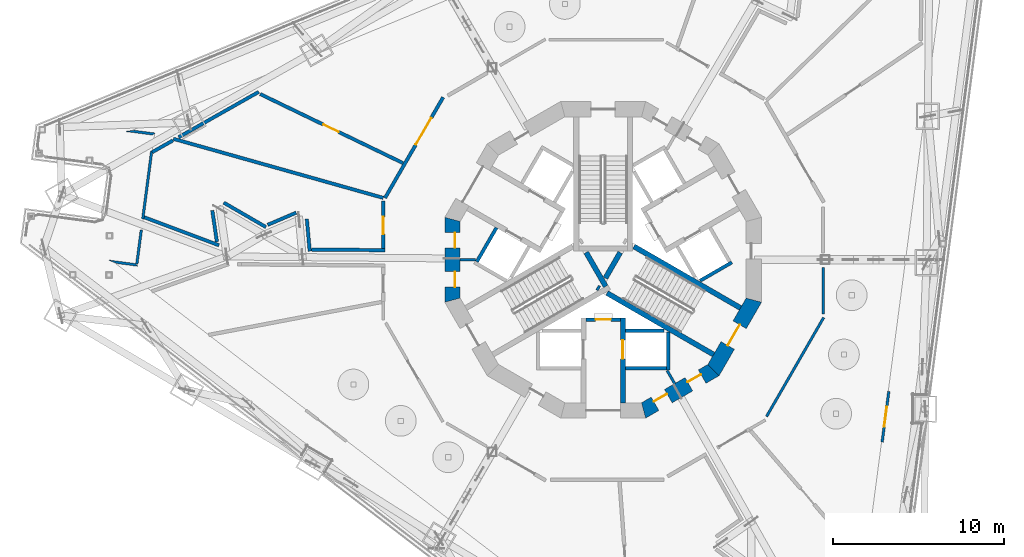
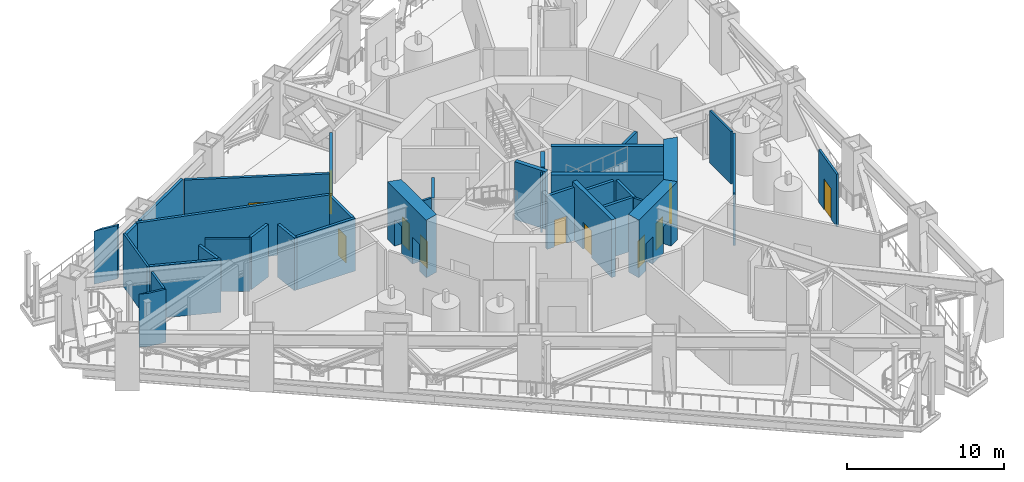
# One storey, part 10 of 23: 36 walls, 11 doors, 11 openings.
"""IFC4 building model written with IfcOpenShell, lengths in metres."""

from ifc_helpers import new_model, si_unit, direction, frame, frame_2d, origin, place, context, subcontext, project, spatial, polyline, rectangle, outline, extrude, material, layer, layer_set, type_object, element, fill, save


model = new_model("IFC4")

# Units and contexts
model_context = context("Model", 3, precision=1e-05, world=origin(), true_north=direction((0.0, 1.0)))
body_context = subcontext(model_context, "Body", "Model", "MODEL_VIEW")
ifc_project = project(units=[si_unit("LENGTHUNIT", "METRE"), si_unit("AREAUNIT", "SQUARE_METRE"), si_unit("VOLUMEUNIT", "CUBIC_METRE"), si_unit("PLANEANGLEUNIT", "RADIAN"), si_unit("MASSUNIT", "GRAM", prefix="KILO")], contexts=[model_context])

# Site, building, storey
site_placement = place(None, origin())
site = spatial("IfcSite", under=ifc_project, at=site_placement, CompositionType="ELEMENT")
building_placement = place(site_placement, origin())
building = spatial("IfcBuilding", under=site, at=building_placement, Name="Trine Commons Tower", CompositionType="ELEMENT")
storey_placement = place(building_placement, frame((0.0, 0.0, 156.60009765625)))
storey = spatial("IfcBuildingStorey", under=building, at=storey_placement, Name="L40", CompositionType="ELEMENT", Elevation=156.60009765625)

# Walls
ifc_material_1 = material(Name="Plasterboard on steel stud", Category="steel")
ifc_layer_1 = layer(ifc_material_1, 0.14990234375)
ifc_layer_set_1 = layer_set([ifc_layer_1], Name="Plasterboard on steel stud")
wall_type_1 = type_object("IfcWallType", Name="Compartment wall 150 mm, EI 60", PredefinedType="PARTITIONING", material=ifc_layer_set_1)
wall_1_placement = place(storey_placement, frame((89.5634765625, 53.31884765625, 0.0), z_axis=(0.0, 0.0, 1.0), x_axis=(0.50001081084, 0.866019162053, 0.0)))
element("IfcWall", 1, at=wall_1_placement, inside=storey, type_object=wall_type_1, Name="Partition M40043", PredefinedType="PARTITIONING", context=body_context, shape_type="SweptSolid", body=[
    extrude(rectangle(XDim=6.693603515625, YDim=0.14990234375, at=frame_2d((3.3466796875, 0.0))), origin(), (0.0, 0.0, 1.0), 4.099853515625),
])
wall_2_placement = place(storey_placement, frame((92.872802734375, 59.33056640625, 0.0), z_axis=(0.0, 0.0, 1.0), x_axis=(0.0, 1.0, 0.0)))
element("IfcWall", 2, at=wall_2_placement, inside=storey, type_object=wall_type_1, Name="Partition M40052", PredefinedType="PARTITIONING", context=body_context, shape_type="SweptSolid", body=[
    extrude(rectangle(XDim=2.7197265625, YDim=0.14990234375, at=frame_2d((1.35986328125, 0.0))), origin(), (0.0, 0.0, 1.0), 4.099853515625),
])
ifc_material_2 = material(Name="Plasterboard partition on steel studs", Category="steel")
ifc_layer_2 = layer(ifc_material_2, 0.14990234375)
ifc_layer_set_2 = layer_set([ifc_layer_2], Name="Plasterboard partition on steel studs")
wall_type_2 = type_object("IfcWallType", Name="Core room partition 150 mm, EI 60", PredefinedType="PARTITIONING", material=ifc_layer_set_2)
for number, where, z_axis, x_axis, name in (
    (3, (71.626953125, 62.5, 0.0), (0.0, 0.0, 1.0), (1.0, 0.0, 0.0), "Core room partition L40"),
    (4, (84.18603515625, 55.2490234375, 0.0), (0.0, 0.0, 1.0), (-0.499890179513, 0.866088799389, 0.0), "Core room partition L40"),
):
    element("IfcWall", number, at=place(storey_placement, frame(where, z_axis=z_axis, x_axis=x_axis)), inside=storey, type_object=wall_type_2, Name=name, PredefinedType="PARTITIONING", context=body_context, shape_type="SweptSolid", body=[
        extrude(rectangle(XDim=0.882080078125, YDim=0.14990234375, at=frame_2d((0.44091796875, 0.0))), origin(), (0.0, 0.0, 1.0), 4.14990234375),
    ])
ifc_layer_3 = layer(ifc_material_1, 0.199951171875)
ifc_layer_set_3 = layer_set([ifc_layer_3], Name="Plasterboard on steel stud")
wall_type_3 = type_object("IfcWallType", Name="Fire wall 200 mm, EI 120", PredefinedType="PARTITIONING", material=ifc_layer_set_3)
wall_3_placement = place(storey_placement, frame((53.091796875, 65.001708984375, 0.0), z_axis=(0.0, 0.0, 1.0), x_axis=(0.936199141102, -0.351470010385, 0.0)))
element("IfcWall", 5, at=wall_3_placement, inside=storey, type_object=wall_type_3, Name="Partition M40001", PredefinedType="PARTITIONING", context=body_context, shape_type="SweptSolid", body=[
    extrude(rectangle(XDim=4.708984375, YDim=0.199951171875, at=frame_2d((2.3544921875, 0.0))), origin(), (0.0, 0.0, 1.0), 4.099853515625),
])
wall_4_placement = place(storey_placement, frame((53.592041015625, 68.800537109375, 0.0), z_axis=(0.0, 0.0, 1.0), x_axis=(0.870383098787, 0.492375122591, 0.0)))
element("IfcWall", 6, at=wall_4_placement, inside=storey, type_object=wall_type_3, Name="Partition M40003", PredefinedType="PARTITIONING", context=body_context, shape_type="SweptSolid", body=[
    extrude(rectangle(XDim=1.391845703125, YDim=0.199951171875, at=frame_2d((0.69580078125, 0.0))), origin(), (0.0, 0.0, 1.0), 4.099853515625),
])
wall_5_placement = place(storey_placement, frame((54.830810546875, 69.5830078125, 0.0), z_axis=(0.0, 0.0, 1.0), x_axis=(0.962608275862, -0.270897226345, 0.0)))
element("IfcWall", 7, at=wall_5_placement, inside=storey, type_object=wall_type_3, Name="Partition M40004", PredefinedType="PARTITIONING", context=body_context, shape_type="SweptSolid", body=[
    extrude(rectangle(XDim=12.77392578125, YDim=0.199951171875, at=frame_2d((6.386962890625, 0.0))), origin(), (0.0, 0.0, 1.0), 4.099853515625),
])
wall_6_placement = place(storey_placement, frame((55.138671875, 69.675537109375, 0.0), z_axis=(0.0, 0.0, 1.0), x_axis=(0.870357892234, 0.492419678146, 0.0)))
element("IfcWall", 8, at=wall_6_placement, inside=storey, type_object=wall_type_3, Name="Partition M40005", PredefinedType="PARTITIONING", context=body_context, shape_type="SweptSolid", body=[
    extrude(rectangle(XDim=5.393310546875, YDim=0.199951171875, at=frame_2d((2.69677734375, 0.0))), origin(), (0.0, 0.0, 1.0), 4.099853515625),
])
wall_7_placement = place(storey_placement, frame((57.11181640625, 65.389404296875, 0.0), z_axis=(0.0, 0.0, 1.0), x_axis=(0.145335243046, -0.989382467567, 0.0)))
element("IfcWall", 9, at=wall_7_placement, inside=storey, type_object=wall_type_3, Name="Partition M40007", PredefinedType="PARTITIONING", context=body_context, shape_type="SweptSolid", body=[
    extrude(rectangle(XDim=1.859619140625, YDim=0.199951171875, at=frame_2d((0.9296875, 0.0))), origin(), (0.0, 0.0, 1.0), 4.099853515625),
])
wall_8_placement = place(storey_placement, frame((57.782470703125, 65.84423828125, 0.0), z_axis=(0.0, 0.0, 1.0), x_axis=(0.865397002016, -0.501086847663, 0.0)))
element("IfcWall", 10, at=wall_8_placement, inside=storey, type_object=wall_type_3, Name="Partition M40008", PredefinedType="PARTITIONING", context=body_context, shape_type="SweptSolid", body=[
    extrude(rectangle(XDim=2.854248046875, YDim=0.199951171875, at=frame_2d((1.42724609375, 0.0))), origin(), (0.0, 0.0, 1.0), 4.099853515625),
])

# Wall, opening, door
wall_9_placement = place(storey_placement, frame((59.919677734375, 72.2001953125, 0.0), z_axis=(0.0, 0.0, 1.0), x_axis=(0.900439076875, -0.434982147722, 0.0)))
wall_9 = element("IfcWall", 11, at=wall_9_placement, inside=storey, type_object=wall_type_3, Name="Partition M40011", PredefinedType="PARTITIONING", context=body_context, shape_type="SweptSolid", body=[
    extrude(rectangle(XDim=9.284912109375, YDim=0.199951171875, at=frame_2d((4.642578125, 0.0))), origin(), (0.0, 0.0, 1.0), 4.099853515625),
])
opening_1_placement = place(wall_9_placement, frame((4.100830078125, 0.0, 0.0)))
opening_1 = element("IfcOpeningElement", 12, at=opening_1_placement, cuts=wall_9, Name="Opening D-M4001", PredefinedType="OPENING", context=body_context, shape_type="SweptSolid", body=[
    extrude(rectangle(XDim=1.0, YDim=2.10009765625, at=frame_2d((0.5, 1.050048828125))), frame((0.0, 0.10986328125, 0.0), z_axis=(0.0, -1.0, 0.0), x_axis=(1.0, 0.0, 0.0)), (0.0, 0.0, 1.0), 0.219970703125),
])
ifc_material_3 = material(Name="Timber fire door set", Category="wood")
door_type_1 = type_object("IfcDoorType", Name="Single swing door 1000x2100, FD60", OperationType="SINGLE_SWING_LEFT", PredefinedType="DOOR", material=ifc_material_3)
door_1_placement = place(opening_1_placement, origin())
door_1 = element("IfcDoor", 13, at=door_1_placement, inside=storey, type_object=door_type_1, Name="Door D-M4001", OperationType="SINGLE_SWING_LEFT", OverallHeight=2.10009765625, OverallWidth=1.0, PredefinedType="DOOR", context=body_context, shape_type="SweptSolid", body=[
    extrude(rectangle(XDim=1.0, YDim=2.10009765625, at=frame_2d((0.5, 1.050048828125))), frame((0.0, 0.02490234375, 0.0), z_axis=(0.0, -1.0, 0.0), x_axis=(1.0, 0.0, 0.0)), (0.0, 0.0, 1.0), 0.050048828125),
])
fill(opening_1, door_1)

# Walls
wall_10_placement = place(storey_placement, frame((60.349365234375, 64.542724609375, 0.0), z_axis=(0.0, 0.0, 1.0), x_axis=(0.919588782739, 0.392882260557, 0.0)))
element("IfcWall", 14, at=wall_10_placement, inside=storey, type_object=wall_type_3, Name="Partition M40012", PredefinedType="PARTITIONING", context=body_context, shape_type="SweptSolid", body=[
    extrude(rectangle(XDim=1.81884765625, YDim=0.199951171875, at=frame_2d((0.909423828125, 0.0))), origin(), (0.0, 0.0, 1.0), 4.099853515625),
])
wall_11_placement = place(storey_placement, frame((62.647216796875, 64.8837890625, 0.0), z_axis=(0.0, 0.0, 1.0), x_axis=(0.089220150846, -0.99601192999, 0.0)))
element("IfcWall", 15, at=wall_11_placement, inside=storey, type_object=wall_type_3, Name="Partition M40013", PredefinedType="PARTITIONING", context=body_context, shape_type="SweptSolid", body=[
    extrude(rectangle(XDim=1.890869140625, YDim=0.199951171875, at=frame_2d((0.9453125, 0.0))), origin(), (0.0, 0.0, 1.0), 4.099853515625),
])
wall_12_placement = place(storey_placement, frame((62.917236328125, 63.09912109375, 0.0), z_axis=(0.0, 0.0, 1.0), x_axis=(0.999961915934, -0.008727352511, 0.0)))
element("IfcWall", 16, at=wall_12_placement, inside=storey, type_object=wall_type_3, Name="Partition M40014", PredefinedType="PARTITIONING", context=body_context, shape_type="SweptSolid", body=[
    extrude(rectangle(XDim=4.30810546875, YDim=0.199951171875, at=frame_2d((2.154052734375, 0.0))), origin(), (0.0, 0.0, 1.0), 4.099853515625),
])

# Wall, opening, door
wall_13_placement = place(storey_placement, frame((67.127197265625, 63.1630859375, 0.0), z_axis=(0.0, 0.0, 1.0), x_axis=(0.0, 1.0, 0.0)))
wall_13 = element("IfcWall", 17, at=wall_13_placement, inside=storey, type_object=wall_type_3, Name="Partition M40018", PredefinedType="PARTITIONING", context=body_context, shape_type="SweptSolid", body=[
    extrude(rectangle(XDim=2.7861328125, YDim=0.199951171875, at=frame_2d((1.39306640625, 0.0))), origin(), (0.0, 0.0, 1.0), 4.099853515625),
])
opening_2_placement = place(wall_13_placement, frame((0.8427734375, 0.0, 0.0)))
opening_2 = element("IfcOpeningElement", 18, at=opening_2_placement, cuts=wall_13, Name="Opening D-M4004", PredefinedType="OPENING", context=body_context, shape_type="SweptSolid", body=[
    extrude(rectangle(XDim=1.0, YDim=2.10009765625, at=frame_2d((0.5, 1.050048828125))), frame((0.0, 0.10986328125, 0.0), z_axis=(0.0, -1.0, 0.0), x_axis=(1.0, 0.0, 0.0)), (0.0, 0.0, 1.0), 0.219970703125),
])
door_2_placement = place(opening_2_placement, origin())
door_2 = element("IfcDoor", 19, at=door_2_placement, inside=storey, type_object=door_type_1, Name="Door D-M4004", OperationType="SINGLE_SWING_LEFT", OverallHeight=2.10009765625, OverallWidth=1.0, PredefinedType="DOOR", context=body_context, shape_type="SweptSolid", body=[
    extrude(rectangle(XDim=1.0, YDim=2.10009765625, at=frame_2d((0.5, 1.050048828125))), frame((0.0, 0.02490234375, 0.0), z_axis=(0.0, -1.0, 0.0), x_axis=(1.0, 0.0, 0.0)), (0.0, 0.0, 1.0), 0.050048828125),
])
fill(opening_2, door_2)

wall_14_placement = place(storey_placement, frame((70.62646484375, 72.01025390625, 0.0), z_axis=(0.0, 0.0, 1.0), x_axis=(-0.500007270061, -0.866021206372, 0.0)))
wall_14 = element("IfcWall", 20, at=wall_14_placement, inside=storey, type_object=wall_type_3, Name="Partition M40019", PredefinedType="PARTITIONING", context=body_context, shape_type="SweptSolid", body=[
    extrude(rectangle(XDim=6.8017578125, YDim=0.199951171875, at=frame_2d((3.40087890625, 0.0))), origin(), (0.0, 0.0, 1.0), 4.099853515625),
])
opening_3_placement = place(wall_14_placement, frame((1.399169921875, 0.0, 0.0)))
opening_3 = element("IfcOpeningElement", 21, at=opening_3_placement, cuts=wall_14, Name="Opening D-M4005", PredefinedType="OPENING", context=body_context, shape_type="SweptSolid", body=[
    extrude(rectangle(XDim=1.800048828125, YDim=2.10009765625, at=frame_2d((0.89990234375, 1.050048828125))), frame((0.0, 0.10986328125, 0.0), z_axis=(0.0, -1.0, 0.0), x_axis=(1.0, 0.0, 0.0)), (0.0, 0.0, 1.0), 0.219970703125),
])
door_type_2 = type_object("IfcDoorType", Name="Double swing door 1800x2100, FD60", OperationType="DOUBLE_DOOR_DOUBLE_SWING", PredefinedType="DOOR", material=ifc_material_3)
door_3_placement = place(opening_3_placement, origin())
door_3 = element("IfcDoor", 22, at=door_3_placement, inside=storey, type_object=door_type_2, Name="Door D-M4005", OperationType="DOUBLE_DOOR_DOUBLE_SWING", OverallHeight=2.10009765625, OverallWidth=1.800048828125, PredefinedType="DOOR", context=body_context, shape_type="SweptSolid", body=[
    extrude(rectangle(XDim=1.800048828125, YDim=2.10009765625, at=frame_2d((0.89990234375, 1.050048828125))), frame((0.0, 0.02490234375, 0.0), z_axis=(0.0, -1.0, 0.0), x_axis=(1.0, 0.0, 0.0)), (0.0, 0.0, 1.0), 0.050048828125),
])
fill(opening_3, door_3)

ifc_material_4 = material(Name="Aluminium-framed insulated wall panel", Category="aluminium")
ifc_layer_4 = layer(ifc_material_4, 0.14990234375)
ifc_layer_set_4 = layer_set([ifc_layer_4], Name="Aluminium-framed insulated wall panel")
wall_type_4 = type_object("IfcWallType", Name="Gallery frame wall 150 mm, EI 60", PredefinedType="SOLIDWALL", material=ifc_layer_set_4)
wall_15_placement = place(storey_placement, frame((96.725830078125, 54.796142578125, 0.0), z_axis=(0.0, 0.0, 1.0), x_axis=(-0.130532401413, -0.991444043898, 0.0)))
wall_15 = element("IfcWall", 23, at=wall_15_placement, inside=storey, type_object=wall_type_4, Name="Gallery frame wall L40 F2", PredefinedType="SOLIDWALL", context=body_context, shape_type="SweptSolid", body=[
    extrude(rectangle(XDim=3.0, YDim=0.14990234375, at=frame_2d((1.5, 0.0))), origin(), (0.0, 0.0, 1.0), 4.099853515625),
])
opening_4_placement = place(wall_15_placement, frame((0.89990234375, 0.0, 0.0)))
opening_4 = element("IfcOpeningElement", 24, at=opening_4_placement, cuts=wall_15, Name="Opening D-GD2", PredefinedType="OPENING", context=body_context, shape_type="SweptSolid", body=[
    extrude(rectangle(XDim=1.199951171875, YDim=2.39990234375, at=frame_2d((0.60009765625, 1.199951171875))), frame((0.0, 0.0849609375, 0.0), z_axis=(0.0, -1.0, 0.0), x_axis=(1.0, 0.0, 0.0)), (0.0, 0.0, 1.0), 0.169921875),
])
ifc_material_5 = material(Name="Anodised aluminium frame with double glazing", Category="aluminium")
door_type_3 = type_object("IfcDoorType", Name="Gallery sliding door 1200x2400", OperationType="SLIDING_TO_LEFT", PredefinedType="DOOR", material=ifc_material_5)
door_4_placement = place(opening_4_placement, origin())
door_4 = element("IfcDoor", 25, at=door_4_placement, inside=storey, type_object=door_type_3, Name="Gallery service door L40 F2", OperationType="SLIDING_TO_LEFT", OverallHeight=2.39990234375, OverallWidth=1.199951171875, PredefinedType="DOOR", context=body_context, shape_type="SweptSolid", body=[
    extrude(rectangle(XDim=1.199951171875, YDim=2.39990234375, at=frame_2d((0.60009765625, 1.199951171875))), frame((0.0, 0.02490234375, 0.0), z_axis=(0.0, -1.0, 0.0), x_axis=(1.0, 0.0, 0.0)), (0.0, 0.0, 1.0), 0.050048828125),
])
fill(opening_4, door_4)

ifc_material_6 = material(Name="Fire-rated gypsum shaft wall system")
ifc_layer_5 = layer(ifc_material_6, 0.199951171875)
ifc_layer_set_5 = layer_set([ifc_layer_5], Name="Fire-rated gypsum shaft wall system")
wall_type_5 = type_object("IfcWallType", Name="Lobby end wall 200 mm, EI 120", PredefinedType="PARTITIONING", material=ifc_layer_set_5)
wall_16_placement = place(storey_placement, frame((79.0, 59.0, 0.0), z_axis=(0.0, 0.0, 1.0), x_axis=(1.0, 0.0, 0.0)))
wall_16 = element("IfcWall", 26, at=wall_16_placement, inside=storey, type_object=wall_type_5, Name="Lobby end wall L40", PredefinedType="PARTITIONING", context=body_context, shape_type="SweptSolid", body=[
    extrude(rectangle(XDim=2.0, YDim=0.199951171875, at=frame_2d((1.0, 0.0))), origin(), (0.0, 0.0, 1.0), 4.14990234375),
])
opening_5_placement = place(wall_16_placement, frame((0.550048828125, 0.0, 0.0)))
opening_5 = element("IfcOpeningElement", 27, at=opening_5_placement, cuts=wall_16, Name="Opening K13.09", PredefinedType="OPENING", context=body_context, shape_type="SweptSolid", body=[
    extrude(rectangle(XDim=0.89990234375, YDim=2.10009765625, at=frame_2d((0.449951171875, 1.050048828125))), frame((0.0, 0.10986328125, 0.0), z_axis=(0.0, -1.0, 0.0), x_axis=(1.0, 0.0, 0.0)), (0.0, 0.0, 1.0), 0.219970703125),
])
ifc_material_7 = material(Name="Steel door leaf, fire-rated", Category="steel")
door_type_4 = type_object("IfcDoorType", Name="Riser access door, single leaf 900 x 2100, FD60", OperationType="SINGLE_SWING_LEFT", PredefinedType="DOOR", material=ifc_material_7)
door_5_placement = place(opening_5_placement, frame((0.89990234375, 0.0, 0.0), z_axis=(0.0, 0.0, 1.0), x_axis=(-1.0, 0.0, 0.0)))
door_5 = element("IfcDoor", 28, at=door_5_placement, inside=storey, type_object=door_type_4, Name="Riser door, Communications riser L40", OperationType="SINGLE_SWING_RIGHT", OverallHeight=2.10009765625, OverallWidth=0.89990234375, PredefinedType="DOOR", context=body_context, shape_type="SweptSolid", body=[
    extrude(rectangle(XDim=0.89990234375, YDim=2.10009765625, at=frame_2d((0.449951171875, 1.050048828125))), frame((0.0, 0.02490234375, 0.0), z_axis=(0.0, -1.0, 0.0), x_axis=(1.0, 0.0, 0.0)), (0.0, 0.0, 1.0), 0.050048828125),
])
fill(opening_5, door_5)

# Walls
ifc_material_8 = material(Name="Anodised aluminium louvre blades in an aluminium frame, alloy 6063-T6", Category="aluminium")
ifc_layer_6 = layer(ifc_material_8, 0.14990234375)
ifc_layer_set_6 = layer_set([ifc_layer_6], Name="Anodised aluminium louvre blades in an aluminium frame, alloy 6063-T6")
wall_type_6 = type_object("IfcWallType", Name="Louvre screen wall 150", PredefinedType="SOLIDWALL", material=ifc_layer_set_6)
wall_17_placement = place(storey_placement, frame((51.38671875, 62.36865234375, 0.0), z_axis=(0.0, 0.0, 1.0), x_axis=(0.991446880033, -0.130510858064, 0.0)))
element("IfcWall", 29, at=wall_17_placement, inside=storey, type_object=wall_type_6, Name="Louvre screen L40-01", PredefinedType="SOLIDWALL", context=body_context, shape_type="SweptSolid", body=[
    extrude(outline(polyline([(0.1494140625, -0.074951171875), (1.385009765625, -0.074951171875), (1.235107421875, 0.074951171875), (-0.410400390625, 0.074951171875), (0.1494140625, -0.074951171875)])), origin(), (0.0, 0.0, 1.0), 4.14990234375),
])
wall_18_placement = place(storey_placement, frame((52.69384765625, 62.26220703125, 0.0), z_axis=(0.0, 0.0, 1.0), x_axis=(0.130495486725, 0.991448903345, 0.0)))
element("IfcWall", 30, at=wall_18_placement, inside=storey, type_object=wall_type_6, Name="Louvre screen L40-02", PredefinedType="SOLIDWALL", context=body_context, shape_type="SweptSolid", body=[
    extrude(rectangle(XDim=2.003662109375, YDim=0.14990234375, at=frame_2d((1.001953125, 0.0))), origin(), (0.0, 0.0, 1.0), 4.14990234375),
])
wall_19_placement = place(storey_placement, frame((53.04052734375, 64.89501953125, 0.0), z_axis=(0.0, 0.0, 1.0), x_axis=(0.130516098432, 0.991446190194, 0.0)))
element("IfcWall", 31, at=wall_19_placement, inside=storey, type_object=wall_type_6, Name="Louvre screen L40-03", PredefinedType="SOLIDWALL", context=body_context, shape_type="SweptSolid", body=[
    extrude(rectangle(XDim=3.999267578125, YDim=0.14990234375, at=frame_2d((1.99951171875, 0.0))), origin(), (0.0, 0.0, 1.0), 4.14990234375),
])
wall_20_placement = place(storey_placement, frame((53.72900390625, 69.85693359375, 0.0), z_axis=(0.0, 0.0, 1.0), x_axis=(-0.991446880033, 0.130510858064, 0.0)))
element("IfcWall", 32, at=wall_20_placement, inside=storey, type_object=wall_type_6, Name="Louvre screen L40-04", PredefinedType="SOLIDWALL", context=body_context, shape_type="SweptSolid", body=[
    extrude(outline(polyline([(-0.0400390625, -0.074951171875), (1.19580078125, -0.074951171875), (1.755615234375, 0.074951171875), (0.110107421875, 0.074951171875), (-0.0400390625, -0.074951171875)])), origin(), (0.0, 0.0, 1.0), 4.14990234375),
])

# Wall, opening, door
ifc_material_9 = material(Name="Concrete C60/75", Category="concrete")
ifc_layer_7 = layer(ifc_material_9, 0.300048828125)
ifc_layer_set_7 = layer_set([ifc_layer_7], Name="Concrete C60/75")
wall_type_7 = type_object("IfcWallType", Name="RC shear wall 300 mm, C60/75", PredefinedType="SHEAR", material=ifc_layer_set_7)
wall_21_placement = place(storey_placement, frame((81.14990234375, 59.10009765625, 0.0), z_axis=(0.0, 0.0, 1.0), x_axis=(0.0, -1.0, 0.0)))
wall_21 = element("IfcWall", 33, at=wall_21_placement, inside=storey, type_object=wall_type_7, Name="Core cross wall SWB-04 L40", PredefinedType="SHEAR", context=body_context, shape_type="SweptSolid", body=[
    extrude(rectangle(XDim=4.97314453125, YDim=0.300048828125, at=frame_2d((2.486572265625, 0.0))), origin(), (0.0, 0.0, 1.0), 4.5),
])
opening_6_placement = place(wall_21_placement, frame((1.300048828125, 0.0, 0.0)))
opening_6 = element("IfcOpeningElement", 34, at=opening_6_placement, cuts=wall_21, Name="Opening LD9", PredefinedType="OPENING", context=body_context, shape_type="SweptSolid", body=[
    extrude(rectangle(XDim=1.10009765625, YDim=2.10009765625, at=frame_2d((0.550048828125, 1.050048828125))), frame((0.0, 0.159912109375, 0.0), z_axis=(0.0, -1.0, 0.0), x_axis=(1.0, 0.0, 0.0)), (0.0, 0.0, 1.0), 0.320068359375),
])
ifc_material_10 = material(Name="Stainless steel sliding door leaves", Category="steel")
door_type_5 = type_object("IfcDoorType", Name="Lift landing door, centre-opening sliding 1100 x 2100, FD90", OperationType="DOUBLE_DOOR_SLIDING", PredefinedType="DOOR", material=ifc_material_10)
door_6_placement = place(opening_6_placement, origin())
door_6 = element("IfcDoor", 35, at=door_6_placement, inside=storey, type_object=door_type_5, Name="Lift landing door FF1 L40", OperationType="DOUBLE_DOOR_SLIDING", OverallHeight=2.10009765625, OverallWidth=1.10009765625, PredefinedType="DOOR", context=body_context, shape_type="SweptSolid", body=[
    extrude(rectangle(XDim=1.10009765625, YDim=2.10009765625, at=frame_2d((0.550048828125, 1.050048828125))), frame((0.0, 0.02490234375, 0.0), z_axis=(0.0, -1.0, 0.0), x_axis=(1.0, 0.0, 0.0)), (0.0, 0.0, 1.0), 0.050048828125),
])
fill(opening_6, door_6)

# Walls
wall_22_placement = place(storey_placement, frame((79.0029296875, 62.926025390625, 0.0), z_axis=(0.0, 0.0, 1.0), x_axis=(0.499965247104, -0.866045467449, 0.0)))
element("IfcWall", 36, at=wall_22_placement, inside=storey, type_object=wall_type_7, Name="Core cross wall SWB-10 L40", PredefinedType="SHEAR", context=body_context, shape_type="SweptSolid", body=[
    extrude(rectangle(XDim=2.292236328125, YDim=0.300048828125, at=frame_2d((1.14599609375, 0.0))), origin(), (0.0, 0.0, 1.0), 4.5),
])
wall_23_placement = place(storey_placement, frame((79.64599609375, 60.885986328125, 0.0), z_axis=(0.0, 0.0, 1.0), x_axis=(0.867331893649, -0.497730234424, 0.0)))
element("IfcWall", 37, at=wall_23_placement, inside=storey, type_object=wall_type_7, Name="Core cross wall SWB-11 L40", PredefinedType="SHEAR", context=body_context, shape_type="SweptSolid", body=[
    extrude(rectangle(XDim=0.148681640625, YDim=0.300048828125, at=frame_2d((0.07421875, 0.0))), origin(), (0.0, 0.0, 1.0), 4.5),
])
wall_24_placement = place(storey_placement, frame((80.1298828125, 61.424072265625, 0.0), z_axis=(0.0, 0.0, 1.0), x_axis=(0.500014901547, 0.866016800201, 0.0)))
element("IfcWall", 38, at=wall_24_placement, inside=storey, type_object=wall_type_7, Name="Core cross wall SWB-12 L40", PredefinedType="SHEAR", context=body_context, shape_type="SweptSolid", body=[
    extrude(rectangle(XDim=1.734375, YDim=0.300048828125, at=frame_2d((0.8671875, 0.0))), origin(), (0.0, 0.0, 1.0), 4.5),
])
for number, where, z_axis, x_axis, name in (
    (39, (80.22509765625, 60.552001953125, 0.0), (0.0, 0.0, 1.0), (0.866028135082, -0.499995269223, 0.0), "Core cross wall SWB-13 L40"),
    (40, (81.800048828125, 63.280029296875, 0.0), (0.0, 0.0, 1.0), (0.866028135082, -0.499995269223, 0.0), "Core cross wall SWB-18 L40"),
):
    element("IfcWall", number, at=place(storey_placement, frame(where, z_axis=z_axis, x_axis=x_axis)), inside=storey, type_object=wall_type_7, Name=name, PredefinedType="SHEAR", context=body_context, shape_type="SweptSolid", body=[
        extrude(rectangle(XDim=7.2041015625, YDim=0.300048828125, at=frame_2d((3.60205078125, 0.0))), origin(), (0.0, 0.0, 1.0), 4.5),
    ])

# Wall, openings, doors
ifc_layer_8 = layer(ifc_material_9, 0.89990234375)
ifc_layer_set_8 = layer_set([ifc_layer_8], Name="Concrete C60/75")
wall_type_8 = type_object("IfcWallType", Name="RC shear wall 900 mm, C60/75", PredefinedType="SHEAR", material=ifc_layer_set_8)
wall_25_placement = place(storey_placement, frame((71.177001953125, 64.984619140625, 0.0), z_axis=(0.0, 0.0, 1.0), x_axis=(0.0, -1.0, 0.0)))
wall_25 = element("IfcWall", 41, at=wall_25_placement, inside=storey, type_object=wall_type_8, Name="Core wall CWE-07 L40", PredefinedType="SHEAR", context=body_context, shape_type="SweptSolid", body=[
    extrude(outline(polyline([(0.0, -0.449951171875), (4.969482421875, -0.449951171875), (4.728271484375, 0.449951171875), (0.2412109375, 0.449951171875), (0.0, -0.449951171875)])), origin(), (0.0, 0.0, 1.0), 4.5),
])
opening_7_placement = place(wall_25_placement, frame((0.893798828125, 0.0, 0.0)))
opening_7 = element("IfcOpeningElement", 42, at=opening_7_placement, cuts=wall_25, Name="Opening K13.14", PredefinedType="OPENING", context=body_context, shape_type="SweptSolid", body=[
    extrude(rectangle(XDim=0.89990234375, YDim=2.10009765625, at=frame_2d((0.449951171875, 1.050048828125))), frame((0.0, 0.4599609375, 0.0), z_axis=(0.0, -1.0, 0.0), x_axis=(1.0, 0.0, 0.0)), (0.0, 0.0, 1.0), 0.919921875),
])
opening_8_placement = place(wall_25_placement, frame((3.184814453125, 0.0, 0.0)))
opening_8 = element("IfcOpeningElement", 43, at=opening_8_placement, cuts=wall_25, Name="Opening K13.15", PredefinedType="OPENING", context=body_context, shape_type="SweptSolid", body=[
    extrude(rectangle(XDim=0.89990234375, YDim=2.10009765625, at=frame_2d((0.449951171875, 1.050048828125))), frame((0.0, 0.4599609375, 0.0), z_axis=(0.0, -1.0, 0.0), x_axis=(1.0, 0.0, 0.0)), (0.0, 0.0, 1.0), 0.919921875),
])
door_type_6 = type_object("IfcDoorType", Name="Core room door, single leaf 900 x 2100, FD30S", OperationType="SINGLE_SWING_LEFT", PredefinedType="DOOR", material=ifc_material_7)
door_7_placement = place(opening_7_placement, origin())
door_7 = element("IfcDoor", 44, at=door_7_placement, inside=storey, type_object=door_type_6, Name="Door to Pump room L40", OperationType="SINGLE_SWING_LEFT", OverallHeight=2.10009765625, OverallWidth=0.89990234375, PredefinedType="DOOR", context=body_context, shape_type="SweptSolid", body=[
    extrude(rectangle(XDim=0.89990234375, YDim=2.10009765625, at=frame_2d((0.449951171875, 1.050048828125))), frame((0.0, 0.1748046875, 0.0), z_axis=(0.0, -1.0, 0.0), x_axis=(1.0, 0.0, 0.0)), (0.0, 0.0, 1.0), 0.050048828125),
])
fill(opening_7, door_7)
door_8_placement = place(opening_8_placement, origin())
door_8 = element("IfcDoor", 45, at=door_8_placement, inside=storey, type_object=door_type_6, Name="Door to Comms room L40", OperationType="SINGLE_SWING_RIGHT", OverallHeight=2.10009765625, OverallWidth=0.89990234375, PredefinedType="DOOR", context=body_context, shape_type="SweptSolid", body=[
    extrude(rectangle(XDim=0.89990234375, YDim=2.10009765625, at=frame_2d((0.449951171875, 1.050048828125))), frame((0.0, 0.1748046875, 0.0), z_axis=(0.0, -1.0, 0.0), x_axis=(1.0, 0.0, 0.0)), (0.0, 0.0, 1.0), 0.050048828125),
])
fill(opening_8, door_8)

wall_26_placement = place(storey_placement, frame((82.259765625, 53.61669921875, 0.0), z_axis=(0.0, 0.0, 1.0), x_axis=(0.866003133579, 0.500038571144, 0.0)))
wall_26 = element("IfcWall", 46, at=wall_26_placement, inside=storey, type_object=wall_type_8, Name="Core wall CWE-11 L40", PredefinedType="SHEAR", context=body_context, shape_type="SweptSolid", body=[
    extrude(outline(polyline([(0.0, -0.449951171875), (4.96923828125, -0.449951171875), (4.72802734375, 0.449951171875), (0.2412109375, 0.449951171875), (0.0, -0.449951171875)])), origin(), (0.0, 0.0, 1.0), 4.5),
])
opening_9_placement = place(wall_26_placement, frame((0.89501953125, 0.0, 0.0)))
opening_9 = element("IfcOpeningElement", 47, at=opening_9_placement, cuts=wall_26, Name="Opening K13.17", PredefinedType="OPENING", context=body_context, shape_type="SweptSolid", body=[
    extrude(rectangle(XDim=0.89990234375, YDim=2.10009765625, at=frame_2d((0.449951171875, 1.050048828125))), frame((0.0, 0.4599609375, 0.0), z_axis=(0.0, -1.0, 0.0), x_axis=(1.0, 0.0, 0.0)), (0.0, 0.0, 1.0), 0.919921875),
])
opening_10_placement = place(wall_26_placement, frame((3.18408203125, 0.0, 0.0)))
opening_10 = element("IfcOpeningElement", 48, at=opening_10_placement, cuts=wall_26, Name="Opening K13.18", PredefinedType="OPENING", context=body_context, shape_type="SweptSolid", body=[
    extrude(rectangle(XDim=0.89990234375, YDim=2.10009765625, at=frame_2d((0.449951171875, 1.050048828125))), frame((0.0, 0.4599609375, 0.0), z_axis=(0.0, -1.0, 0.0), x_axis=(1.0, 0.0, 0.0)), (0.0, 0.0, 1.0), 0.919921875),
])
door_9_placement = place(opening_9_placement, origin())
door_9 = element("IfcDoor", 49, at=door_9_placement, inside=storey, type_object=door_type_6, Name="Door to Store L40", OperationType="SINGLE_SWING_LEFT", OverallHeight=2.10009765625, OverallWidth=0.89990234375, PredefinedType="DOOR", context=body_context, shape_type="SweptSolid", body=[
    extrude(rectangle(XDim=0.89990234375, YDim=2.10009765625, at=frame_2d((0.449951171875, 1.050048828125))), frame((0.0, 0.1748046875, 0.0), z_axis=(0.0, -1.0, 0.0), x_axis=(1.0, 0.0, 0.0)), (0.0, 0.0, 1.0), 0.050048828125),
])
fill(opening_9, door_9)
door_10_placement = place(opening_10_placement, origin())
door_10 = element("IfcDoor", 50, at=door_10_placement, inside=storey, type_object=door_type_6, Name="Door to Pump room L40", OperationType="SINGLE_SWING_RIGHT", OverallHeight=2.10009765625, OverallWidth=0.89990234375, PredefinedType="DOOR", context=body_context, shape_type="SweptSolid", body=[
    extrude(rectangle(XDim=0.89990234375, YDim=2.10009765625, at=frame_2d((0.449951171875, 1.050048828125))), frame((0.0, 0.1748046875, 0.0), z_axis=(0.0, -1.0, 0.0), x_axis=(1.0, 0.0, 0.0)), (0.0, 0.0, 1.0), 0.050048828125),
])
fill(opening_10, door_10)

# Wall, opening, door
wall_27_placement = place(storey_placement, frame((86.3984375, 55.936767578125, 0.0), z_axis=(0.0, 0.0, 1.0), x_axis=(0.500038571144, 0.866003133579, 0.0)))
wall_27 = element("IfcWall", 51, at=wall_27_placement, inside=storey, type_object=wall_type_8, Name="Core wall CWE-12 L40", PredefinedType="SHEAR", context=body_context, shape_type="SweptSolid", body=[
    extrude(outline(polyline([(0.0, -0.449951171875), (4.96923828125, -0.449951171875), (4.72802734375, 0.449951171875), (0.2412109375, 0.449951171875), (0.0, -0.449951171875)])), origin(), (0.0, 0.0, 1.0), 4.5),
])
opening_11_placement = place(wall_27_placement, frame((1.78466796875, 0.0, 0.0)))
opening_11 = element("IfcOpeningElement", 52, at=opening_11_placement, cuts=wall_27, Name="Opening K13.03", PredefinedType="OPENING", context=body_context, shape_type="SweptSolid", body=[
    extrude(rectangle(XDim=1.39990234375, YDim=2.10009765625, at=frame_2d((0.699951171875, 1.050048828125))), frame((0.0, 0.4599609375, 0.0), z_axis=(0.0, -1.0, 0.0), x_axis=(1.0, 0.0, 0.0)), (0.0, 0.0, 1.0), 0.919921875),
])
ifc_material_11 = material(Name="Steel door leaves, fire-rated", Category="steel")
door_type_7 = type_object("IfcDoorType", Name="Stair door, double leaf 1400 x 2100, FD90", OperationType="DOUBLE_DOOR_SINGLE_SWING", PredefinedType="DOOR", material=ifc_material_11)
door_11_placement = place(opening_11_placement, origin())
door_11 = element("IfcDoor", 53, at=door_11_placement, inside=storey, type_object=door_type_7, Name="Stair door to Exit stair ST3B L40", OperationType="DOUBLE_DOOR_SINGLE_SWING", OverallHeight=2.10009765625, OverallWidth=1.39990234375, PredefinedType="DOOR", context=body_context, shape_type="SweptSolid", body=[
    extrude(rectangle(XDim=1.39990234375, YDim=2.10009765625, at=frame_2d((0.699951171875, 1.050048828125))), frame((0.0, 0.02490234375, 0.0), z_axis=(0.0, -1.0, 0.0), x_axis=(1.0, 0.0, 0.0)), (0.0, 0.0, 1.0), 0.050048828125),
])
fill(opening_11, door_11)

# Walls
ifc_layer_9 = layer(ifc_material_6, 0.199951171875)
ifc_layer_set_9 = layer_set([ifc_layer_9], Name="Fire-rated gypsum shaft wall system")
wall_type_9 = type_object("IfcWallType", Name="Shaft wall 200 mm, EI 120", PredefinedType="PARTITIONING", material=ifc_layer_set_9)
wall_28_placement = place(storey_placement, frame((73.7509765625, 64.3759765625, 0.0), z_axis=(0.0, 0.0, 1.0), x_axis=(-0.500136062276, -0.86594683394, 0.0)))
element("IfcWall", 54, at=wall_28_placement, inside=storey, type_object=wall_type_9, Name="Shaft wall L40", PredefinedType="PARTITIONING", context=body_context, shape_type="SweptSolid", body=[
    extrude(rectangle(XDim=2.299072265625, YDim=0.199951171875, at=frame_2d((1.1494140625, 0.0))), origin(), (0.0, 0.0, 1.0), 4.14990234375),
])
wall_29_placement = place(storey_placement, frame((81.300048828125, 56.14990234375, 0.0), z_axis=(0.0, 0.0, 1.0), x_axis=(1.0, 0.0, 0.0)))
element("IfcWall", 55, at=wall_29_placement, inside=storey, type_object=wall_type_9, Name="Shaft wall L40", PredefinedType="PARTITIONING", context=body_context, shape_type="SweptSolid", body=[
    extrude(rectangle(XDim=2.39990234375, YDim=0.199951171875, at=frame_2d((1.199951171875, 0.0))), origin(), (0.0, 0.0, 1.0), 4.14990234375),
])
wall_30_placement = place(storey_placement, frame((81.300048828125, 58.35009765625, 0.0), z_axis=(0.0, 0.0, 1.0), x_axis=(1.0, 0.0, 0.0)))
element("IfcWall", 56, at=wall_30_placement, inside=storey, type_object=wall_type_9, Name="Shaft wall L40", PredefinedType="PARTITIONING", context=body_context, shape_type="SweptSolid", body=[
    extrude(rectangle(XDim=2.264892578125, YDim=0.199951171875, at=frame_2d((1.13232421875, 0.0))), origin(), (0.0, 0.0, 1.0), 4.14990234375),
])
wall_31_placement = place(storey_placement, frame((83.800048828125, 58.257080078125, 0.0), z_axis=(0.0, 0.0, 1.0), x_axis=(0.0, -1.0, 0.0)))
element("IfcWall", 57, at=wall_31_placement, inside=storey, type_object=wall_type_9, Name="Shaft wall L40", PredefinedType="PARTITIONING", context=body_context, shape_type="SweptSolid", body=[
    extrude(rectangle(XDim=2.20703125, YDim=0.199951171875, at=frame_2d((1.103515625, 0.0))), origin(), (0.0, 0.0, 1.0), 4.14990234375),
])
wall_32_placement = place(storey_placement, frame((85.675048828125, 61.27392578125, 0.0), z_axis=(0.0, 0.0, 1.0), x_axis=(0.866102336459, 0.499866725018, 0.0)))
element("IfcWall", 58, at=wall_32_placement, inside=storey, type_object=wall_type_9, Name="Shaft wall L40", PredefinedType="PARTITIONING", context=body_context, shape_type="SweptSolid", body=[
    extrude(rectangle(XDim=2.1484375, YDim=0.199951171875, at=frame_2d((1.07421875, 0.0))), origin(), (0.0, 0.0, 1.0), 4.14990234375),
])

save(model, "model.ifc")
